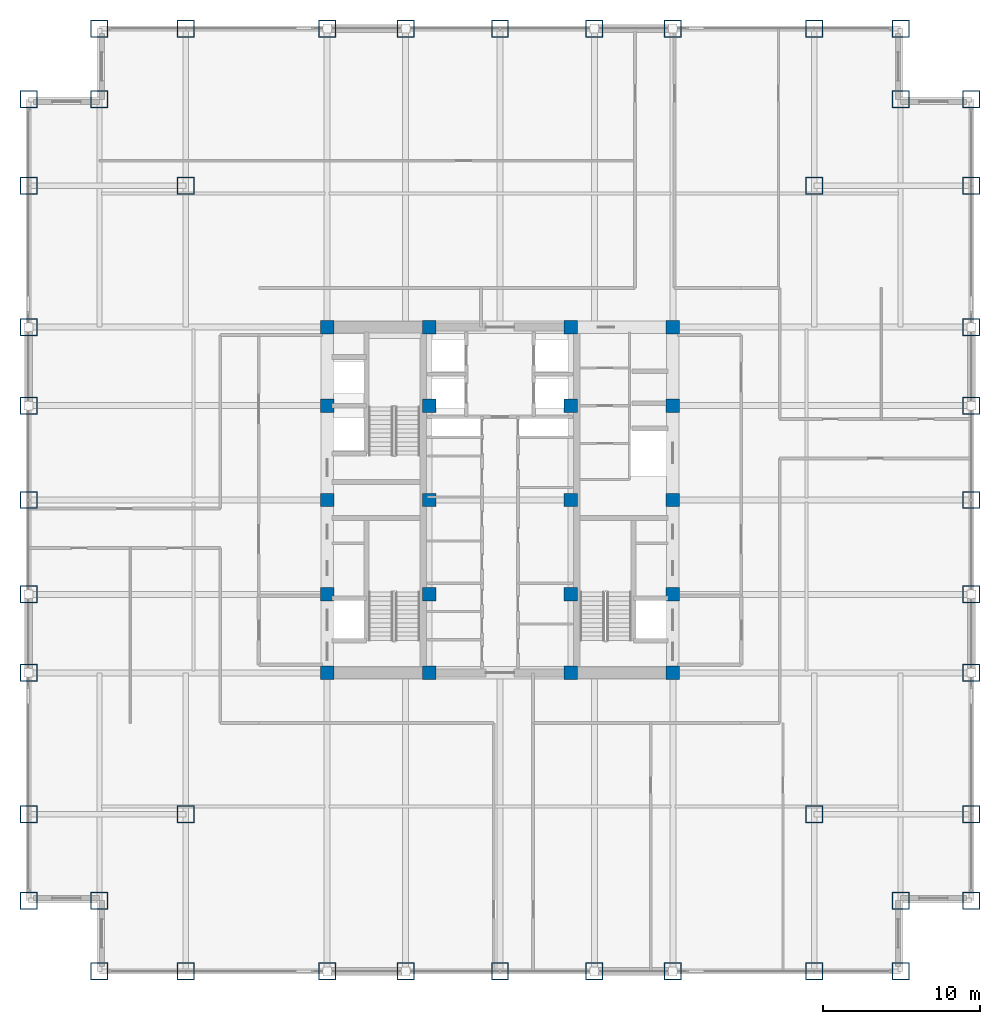
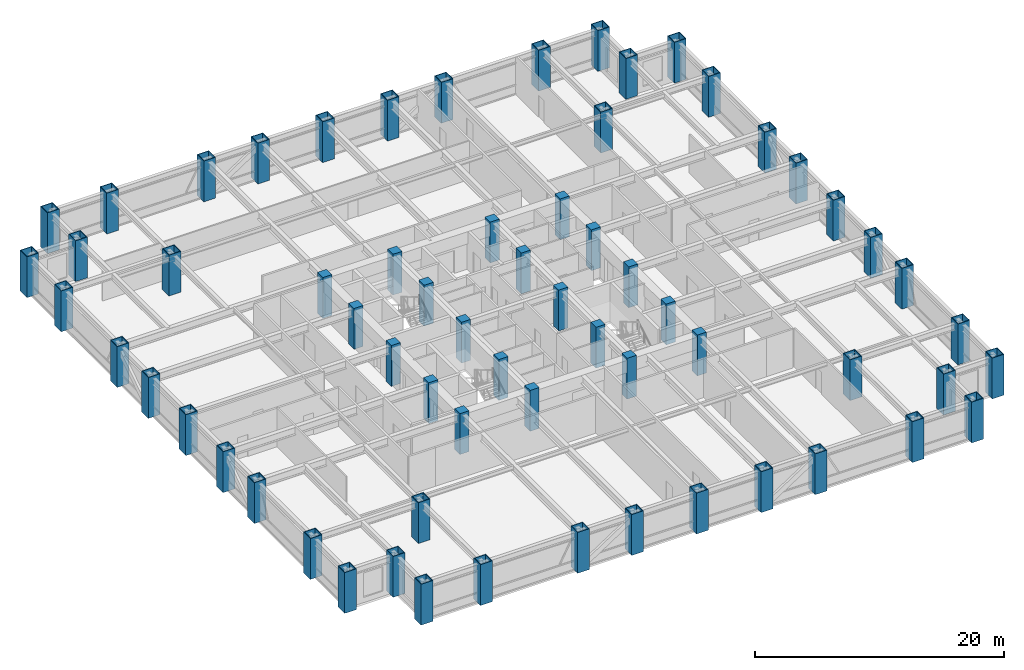
# One storey, part 1 of 25: 64 columns.
"""IFC4 building model written with IfcOpenShell, lengths in metres."""

from ifc_helpers import new_model, si_unit, direction, frame, origin, origin_2d, place, context, subcontext, project, spatial, rectangle, hollow_rectangle, extrude, source, transform, mapped, material, material_profile, profile_set, type_object, element, save


model = new_model("IFC4")

# Units and contexts
model_context = context("Model", 3, precision=1e-05, world=origin(), true_north=direction((0.0, 1.0)))
body_context = subcontext(model_context, "Body", "Model", "MODEL_VIEW")
ifc_project = project(units=[si_unit("LENGTHUNIT", "METRE"), si_unit("AREAUNIT", "SQUARE_METRE"), si_unit("VOLUMEUNIT", "CUBIC_METRE"), si_unit("PLANEANGLEUNIT", "RADIAN"), si_unit("MASSUNIT", "GRAM", prefix="KILO")], contexts=[model_context])

# Site, building, storey
site_placement = place(None, origin())
site = spatial("IfcSite", under=ifc_project, at=site_placement, CompositionType="ELEMENT")
building_placement = place(site_placement, origin())
building = spatial("IfcBuilding", under=site, at=building_placement, Name="Khorayat Bourse Tower", CompositionType="ELEMENT")
storey_placement = place(building_placement, frame((0.0, 0.0, 195.10009765625)))
storey = spatial("IfcBuildingStorey", under=building, at=storey_placement, Name="L45", CompositionType="ELEMENT", Elevation=195.10009765625)

# Columns
ifc_material_1 = material(Name="Steel EN 10025-4 S460M", Category="steel")
ifc_material_profile_1 = material_profile(ifc_material_1, hollow_rectangle(XDim=1.10009765625, YDim=1.10009765625, WallThickness=0.06005859375, at=origin_2d()), Name="BOX 1100x1100x60")
ifc_profile_set_1 = profile_set([ifc_material_profile_1], Name="Steel EN 10025-4 S460M")
column_type_1 = type_object("IfcColumnType", Name="COL-TUBE-1100", PredefinedType="COLUMN", material=ifc_profile_set_1)
shared_shape_1 = source(origin(), body_context, "Body", "SweptSolid", [
    extrude(hollow_rectangle(XDim=1.10009765625, YDim=1.10009765625, WallThickness=0.06005859375, at=origin_2d()), origin(), (0.0, 0.0, 1.0), 4.0),
])
for number, where, z_axis, x_axis, name in (
    (1, (-30.0, -25.5, 0.0), (0.0, 0.0, 1.0), (1.0, 0.0, 0.0), "L45 Column 001"),
    (2, (-30.0, -20.0, 0.0), (0.0, 0.0, 1.0), (1.0, 0.0, 0.0), "L45 Column 002"),
    (3, (-30.0, -11.0, 0.0), (0.0, 0.0, 1.0), (1.0, 0.0, 0.0), "L45 Column 003"),
    (4, (-30.0, -6.0, 0.0), (0.0, 0.0, 1.0), (1.0, 0.0, 0.0), "L45 Column 004"),
    (5, (-30.0, 0.0, 0.0), (0.0, 0.0, 1.0), (1.0, 0.0, 0.0), "L45 Column 005"),
    (6, (-30.0, 6.0, 0.0), (0.0, 0.0, 1.0), (1.0, 0.0, 0.0), "L45 Column 006"),
    (7, (-30.0, 11.0, 0.0), (0.0, 0.0, 1.0), (1.0, 0.0, 0.0), "L45 Column 007"),
    (8, (-30.0, 20.0, 0.0), (0.0, 0.0, 1.0), (1.0, 0.0, 0.0), "L45 Column 008"),
    (9, (-30.0, 25.5, 0.0), (0.0, 0.0, 1.0), (1.0, 0.0, 0.0), "L45 Column 009"),
    (10, (-25.5, -30.0, 0.0), (0.0, 0.0, 1.0), (1.0, 0.0, 0.0), "L45 Column 010"),
    (11, (-25.5, -25.5, 0.0), (0.0, 0.0, 1.0), (1.0, 0.0, 0.0), "L45 Column 011"),
    (12, (-25.5, 25.5, 0.0), (0.0, 0.0, 1.0), (1.0, 0.0, 0.0), "L45 Column 012"),
    (13, (-25.5, 30.0, 0.0), (0.0, 0.0, 1.0), (1.0, 0.0, 0.0), "L45 Column 013"),
    (14, (-20.0, -30.0, 0.0), (0.0, 0.0, 1.0), (1.0, 0.0, 0.0), "L45 Column 014"),
    (15, (-20.0, -20.0, 0.0), (0.0, 0.0, 1.0), (1.0, 0.0, 0.0), "L45 Column 015"),
    (16, (-20.0, 20.0, 0.0), (0.0, 0.0, 1.0), (1.0, 0.0, 0.0), "L45 Column 016"),
    (17, (-20.0, 30.0, 0.0), (0.0, 0.0, 1.0), (1.0, 0.0, 0.0), "L45 Column 017"),
    (18, (-11.0, -30.0, 0.0), (0.0, 0.0, 1.0), (1.0, 0.0, 0.0), "L45 Column 018"),
    (19, (-11.0, 30.0, 0.0), (0.0, 0.0, 1.0), (1.0, 0.0, 0.0), "L45 Column 024"),
    (20, (-6.0, -30.0, 0.0), (0.0, 0.0, 1.0), (1.0, 0.0, 0.0), "L45 Column 025"),
    (21, (-6.0, 30.0, 0.0), (0.0, 0.0, 1.0), (1.0, 0.0, 0.0), "L45 Column 026"),
    (22, (0.0, -30.0, 0.0), (0.0, 0.0, 1.0), (1.0, 0.0, 0.0), "L45 Column 032"),
    (23, (0.0, 30.0, 0.0), (0.0, 0.0, 1.0), (1.0, 0.0, 0.0), "L45 Column 033"),
    (24, (6.0, -30.0, 0.0), (0.0, 0.0, 1.0), (1.0, 0.0, 0.0), "L45 Column 039"),
    (25, (6.0, 30.0, 0.0), (0.0, 0.0, 1.0), (1.0, 0.0, 0.0), "L45 Column 040"),
    (26, (11.0, -30.0, 0.0), (0.0, 0.0, 1.0), (1.0, 0.0, 0.0), "L45 Column 041"),
    (27, (11.0, 30.0, 0.0), (0.0, 0.0, 1.0), (1.0, 0.0, 0.0), "L45 Column 047"),
    (28, (20.0, -30.0, 0.0), (0.0, 0.0, 1.0), (1.0, 0.0, 0.0), "L45 Column 048"),
    (29, (20.0, -20.0, 0.0), (0.0, 0.0, 1.0), (1.0, 0.0, 0.0), "L45 Column 049"),
    (30, (20.0, 20.0, 0.0), (0.0, 0.0, 1.0), (1.0, 0.0, 0.0), "L45 Column 050"),
    (31, (20.0, 30.0, 0.0), (0.0, 0.0, 1.0), (1.0, 0.0, 0.0), "L45 Column 051"),
    (32, (25.5, -30.0, 0.0), (0.0, 0.0, 1.0), (1.0, 0.0, 0.0), "L45 Column 052"),
    (33, (25.5, -25.5, 0.0), (0.0, 0.0, 1.0), (1.0, 0.0, 0.0), "L45 Column 053"),
    (34, (25.5, 25.5, 0.0), (0.0, 0.0, 1.0), (1.0, 0.0, 0.0), "L45 Column 054"),
    (35, (25.5, 30.0, 0.0), (0.0, 0.0, 1.0), (1.0, 0.0, 0.0), "L45 Column 055"),
    (36, (30.0, -25.5, 0.0), (0.0, 0.0, 1.0), (1.0, 0.0, 0.0), "L45 Column 056"),
    (37, (30.0, -20.0, 0.0), (0.0, 0.0, 1.0), (1.0, 0.0, 0.0), "L45 Column 057"),
    (38, (30.0, -11.0, 0.0), (0.0, 0.0, 1.0), (1.0, 0.0, 0.0), "L45 Column 058"),
    (39, (30.0, -6.0, 0.0), (0.0, 0.0, 1.0), (1.0, 0.0, 0.0), "L45 Column 059"),
    (40, (30.0, 0.0, 0.0), (0.0, 0.0, 1.0), (1.0, 0.0, 0.0), "L45 Column 060"),
    (41, (30.0, 6.0, 0.0), (0.0, 0.0, 1.0), (1.0, 0.0, 0.0), "L45 Column 061"),
    (42, (30.0, 11.0, 0.0), (0.0, 0.0, 1.0), (1.0, 0.0, 0.0), "L45 Column 062"),
    (43, (30.0, 20.0, 0.0), (0.0, 0.0, 1.0), (1.0, 0.0, 0.0), "L45 Column 063"),
    (44, (30.0, 25.5, 0.0), (0.0, 0.0, 1.0), (1.0, 0.0, 0.0), "L45 Column 064"),
):
    element("IfcColumn", number, at=place(storey_placement, frame(where, z_axis=z_axis, x_axis=x_axis)), inside=storey, type_object=column_type_1, Name=name, PredefinedType="COLUMN", context=body_context, shape_type="MappedRepresentation", body=[
        mapped(shared_shape_1, transform((0.0, 0.0, 0.0), scale=1.0)),
    ])
ifc_material_2 = material(Name="Concrete C60/75", Category="concrete")
ifc_material_profile_2 = material_profile(ifc_material_2, rectangle(XDim=0.85009765625, YDim=0.85009765625, at=origin_2d()), Name="RC 850x850")
ifc_profile_set_2 = profile_set([ifc_material_profile_2], Name="Concrete C60/75")
column_type_2 = type_object("IfcColumnType", Name="COL-CORE-850", PredefinedType="COLUMN", material=ifc_profile_set_2)
shared_shape_2 = source(origin(), body_context, "Body", "SweptSolid", [
    extrude(rectangle(XDim=0.85009765625, YDim=0.85009765625, at=origin_2d()), origin(), (0.0, 0.0, 1.0), 4.0),
])
for number, where, z_axis, x_axis, name in (
    (45, (-11.0, -11.0, 0.0), (0.0, 0.0, 1.0), (1.0, 0.0, 0.0), "L45 Column 019"),
    (46, (-11.0, -6.0, 0.0), (0.0, 0.0, 1.0), (1.0, 0.0, 0.0), "L45 Column 020"),
    (47, (-11.0, 0.0, 0.0), (0.0, 0.0, 1.0), (1.0, 0.0, 0.0), "L45 Column 021"),
    (48, (-11.0, 6.0, 0.0), (0.0, 0.0, 1.0), (1.0, 0.0, 0.0), "L45 Column 022"),
    (49, (-11.0, 11.0, 0.0), (0.0, 0.0, 1.0), (1.0, 0.0, 0.0), "L45 Column 023"),
    (50, (-4.5, -11.0, 0.0), (0.0, 0.0, 1.0), (1.0, 0.0, 0.0), "L45 Column 027"),
    (51, (-4.5, -6.0, 0.0), (0.0, 0.0, 1.0), (1.0, 0.0, 0.0), "L45 Column 028"),
    (52, (-4.5, 0.0, 0.0), (0.0, 0.0, 1.0), (1.0, 0.0, 0.0), "L45 Column 029"),
    (53, (-4.5, 6.0, 0.0), (0.0, 0.0, 1.0), (1.0, 0.0, 0.0), "L45 Column 030"),
    (54, (-4.5, 11.0, 0.0), (0.0, 0.0, 1.0), (1.0, 0.0, 0.0), "L45 Column 031"),
    (55, (4.5, -11.0, 0.0), (0.0, 0.0, 1.0), (1.0, 0.0, 0.0), "L45 Column 034"),
    (56, (4.5, -6.0, 0.0), (0.0, 0.0, 1.0), (1.0, 0.0, 0.0), "L45 Column 035"),
    (57, (4.5, 0.0, 0.0), (0.0, 0.0, 1.0), (1.0, 0.0, 0.0), "L45 Column 036"),
    (58, (4.5, 6.0, 0.0), (0.0, 0.0, 1.0), (1.0, 0.0, 0.0), "L45 Column 037"),
    (59, (4.5, 11.0, 0.0), (0.0, 0.0, 1.0), (1.0, 0.0, 0.0), "L45 Column 038"),
    (60, (11.0, -11.0, 0.0), (0.0, 0.0, 1.0), (1.0, 0.0, 0.0), "L45 Column 042"),
    (61, (11.0, -6.0, 0.0), (0.0, 0.0, 1.0), (1.0, 0.0, 0.0), "L45 Column 043"),
    (62, (11.0, 0.0, 0.0), (0.0, 0.0, 1.0), (1.0, 0.0, 0.0), "L45 Column 044"),
    (63, (11.0, 6.0, 0.0), (0.0, 0.0, 1.0), (1.0, 0.0, 0.0), "L45 Column 045"),
    (64, (11.0, 11.0, 0.0), (0.0, 0.0, 1.0), (1.0, 0.0, 0.0), "L45 Column 046"),
):
    element("IfcColumn", number, at=place(storey_placement, frame(where, z_axis=z_axis, x_axis=x_axis)), inside=storey, type_object=column_type_2, Name=name, PredefinedType="COLUMN", context=body_context, shape_type="MappedRepresentation", body=[
        mapped(shared_shape_2, transform((0.0, 0.0, 0.0), scale=1.0)),
    ])

save(model, "model.ifc")
